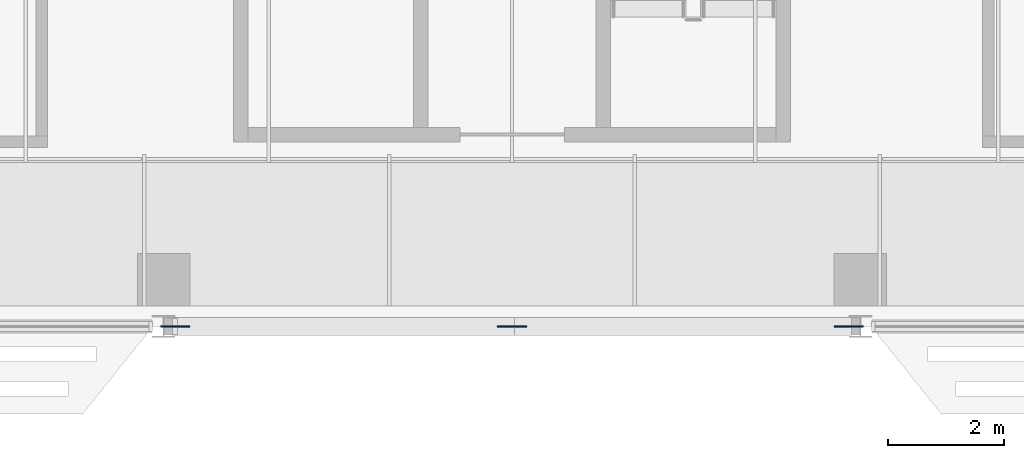
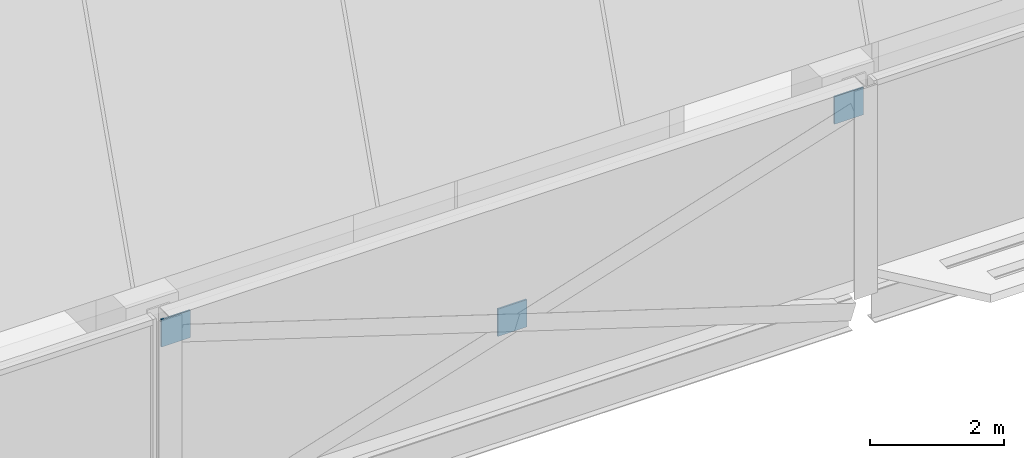
# One storey, part 31 of 39: 3 discrete accessories.
"""IFC4 building model written with IfcOpenShell, lengths in metres."""

from ifc_helpers import new_model, si_unit, direction, frame, origin, origin_2d, place, context, subcontext, project, spatial, rectangle, extrude, material, layer, layer_set, type_object, element, save


model = new_model("IFC4")

# Units and contexts
model_context = context("Model", 3, precision=1e-05, world=origin(), true_north=direction((0.0, 1.0)))
body_context = subcontext(model_context, "Body", "Model", "MODEL_VIEW")
ifc_project = project(units=[si_unit("LENGTHUNIT", "METRE"), si_unit("AREAUNIT", "SQUARE_METRE"), si_unit("VOLUMEUNIT", "CUBIC_METRE"), si_unit("PLANEANGLEUNIT", "RADIAN"), si_unit("MASSUNIT", "GRAM", prefix="KILO")], contexts=[model_context])

# Site, building, storey
site_placement = place(None, origin())
site = spatial("IfcSite", under=ifc_project, at=site_placement, CompositionType="ELEMENT")
building_placement = place(site_placement, origin())
building = spatial("IfcBuilding", under=site, at=building_placement, Name="Mahtab Terrace Research Tower", CompositionType="ELEMENT")
storey_placement = place(building_placement, frame((0.0, 0.0, 282.300048828125)))
storey = spatial("IfcBuildingStorey", under=building, at=storey_placement, Name="L69", CompositionType="ELEMENT", Elevation=282.300048828125)

# Discrete accessories
ifc_material = material(Name="Steel ASTM A992 Gr 50", Category="steel")
ifc_layer = layer(ifc_material, 0.030029296875)
ifc_layer_set = layer_set([ifc_layer], Name="Gusset plate 500x500x30")
discrete_accessory_type = type_object("IfcDiscreteAccessoryType", Name="Gusset plate 500x500x30", PredefinedType="USERDEFINED", material=ifc_layer_set)
for number, where, z_axis, x_axis, name in (
    (1, (-5.802978515625, -12.306884765625, 2.843994140625), (0.0, 0.0, 1.0), (1.0, 0.0, 0.0), "Gusset plate"),
    (2, (0.0, -12.306884765625, 1.00634765625), (0.0, 0.0, 1.0), (1.0, 0.0, 0.0), "Gusset plate"),
    (3, (5.802978515625, -12.306884765625, 2.843994140625), (0.0, 0.0, 1.0), (1.0, 0.0, 0.0), "Gusset plate"),
):
    element("IfcDiscreteAccessory", number, at=place(storey_placement, frame(where, z_axis=z_axis, x_axis=x_axis)), inside=storey, type_object=discrete_accessory_type, Name=name, ObjectType="GUSSET PLATE", PredefinedType="USERDEFINED", context=body_context, shape_type="SweptSolid", body=[
        extrude(rectangle(XDim=0.5, YDim=0.030029296875, at=origin_2d()), origin(), (0.0, 0.0, 1.0), 0.5),
    ])

save(model, "model.ifc")
